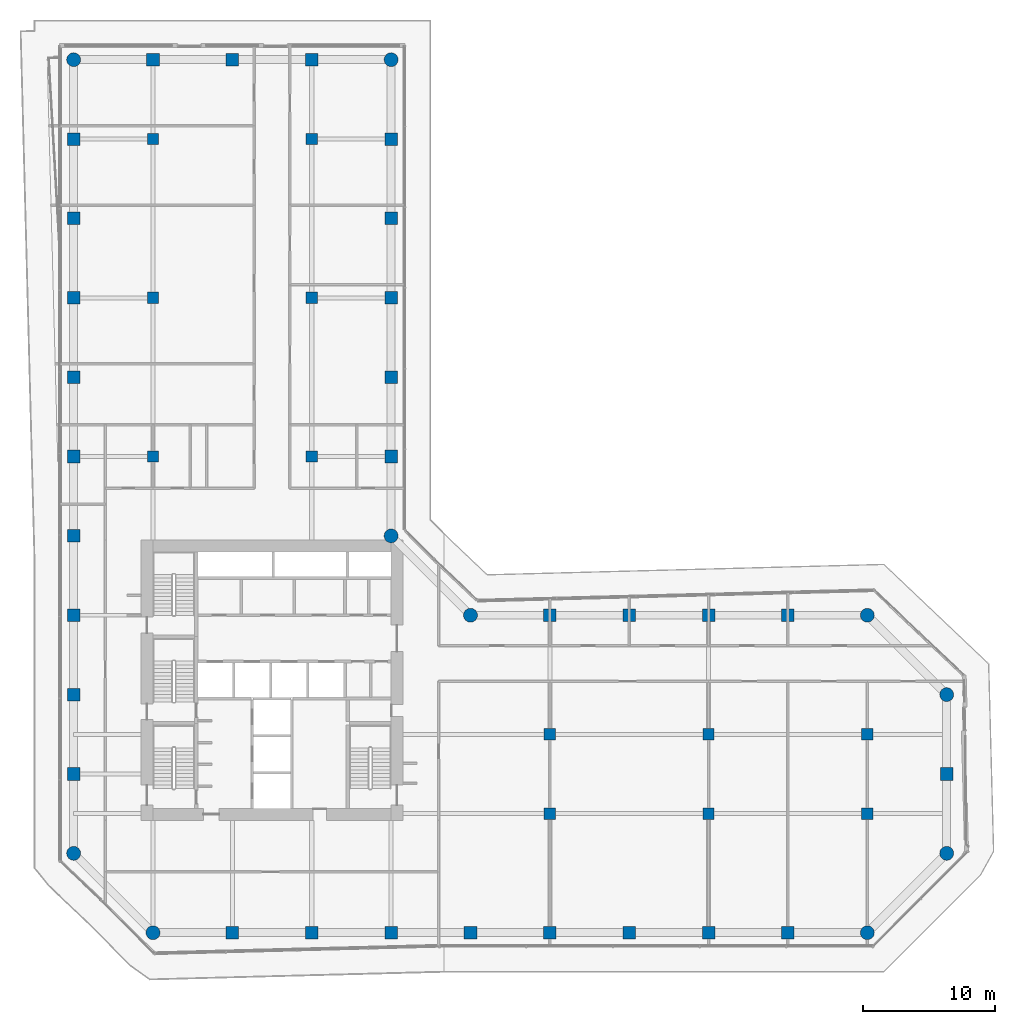
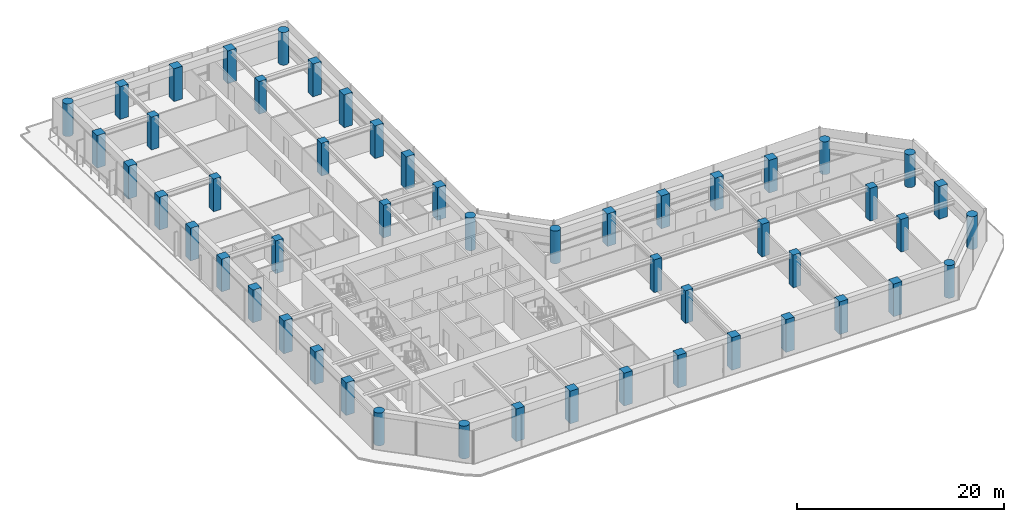
# One storey, part 1 of 29: 52 columns.
"""IFC4 building model written with IfcOpenShell, lengths in metres."""

from ifc_helpers import new_model, si_unit, direction, frame, origin, origin_2d, place, context, subcontext, project, spatial, rectangle, circle, extrude, material, material_profile, profile_set, type_object, element, save


model = new_model("IFC4")

# Units and contexts
model_context = context("Model", 3, precision=1e-05, world=origin(), true_north=direction((0.0, 1.0)))
body_context = subcontext(model_context, "Body", "Model", "MODEL_VIEW")
ifc_project = project(units=[si_unit("LENGTHUNIT", "METRE"), si_unit("AREAUNIT", "SQUARE_METRE"), si_unit("VOLUMEUNIT", "CUBIC_METRE"), si_unit("PLANEANGLEUNIT", "RADIAN"), si_unit("MASSUNIT", "GRAM", prefix="KILO")], contexts=[model_context])

# Site, building, storey
site_placement = place(None, origin())
site = spatial("IfcSite", under=ifc_project, at=site_placement, CompositionType="ELEMENT")
building_placement = place(site_placement, origin())
building = spatial("IfcBuilding", under=site, at=building_placement, Name="Welwitschia Terrace Campus", CompositionType="ELEMENT")
storey_placement = place(building_placement, frame((0.0, 0.0, 58.39990234375)))
storey = spatial("IfcBuildingStorey", under=building, at=storey_placement, Name="L13", CompositionType="ELEMENT", Elevation=58.39990234375)

# Columns
ifc_material_1 = material(Name="Concrete C60/75", Category="concrete")
ifc_material_profile_1 = material_profile(ifc_material_1, circle(Radius=0.52490234375, at=origin_2d()))
ifc_profile_set_1 = profile_set([ifc_material_profile_1], Name="Concrete C60/75")
column_type_1 = type_object("IfcColumnType", Name="Corner column 1050 dia", PredefinedType="COLUMN", material=ifc_profile_set_1)
for number, where, z_axis, x_axis, name in (
    (1, (0.0, 2.0, 0.0), (0.0, 0.0, 1.0), (1.0, 0.0, 0.0), "Column C5"),
    (2, (0.0, 62.0, 0.0), (0.0, 0.0, 1.0), (1.0, 0.0, 0.0), "Column C5"),
    (3, (6.0, -4.0, 0.0), (0.0, 0.0, 1.0), (1.0, 0.0, 0.0), "Column C5"),
    (4, (24.0, 26.0, 0.0), (0.0, 0.0, 1.0), (1.0, 0.0, 0.0), "Column C5"),
    (5, (24.0, 62.0, 0.0), (0.0, 0.0, 1.0), (1.0, 0.0, 0.0), "Column C5"),
    (6, (30.0, 20.0, 0.0), (0.0, 0.0, 1.0), (1.0, 0.0, 0.0), "Column C5"),
    (7, (60.0, -4.0, 0.0), (0.0, 0.0, 1.0), (1.0, 0.0, 0.0), "Column C5"),
    (8, (60.0, 20.0, 0.0), (0.0, 0.0, 1.0), (1.0, 0.0, 0.0), "Column C5"),
    (9, (66.0, 2.0, 0.0), (0.0, 0.0, 1.0), (1.0, 0.0, 0.0), "Column C5"),
    (10, (66.0, 14.0, 0.0), (0.0, 0.0, 1.0), (1.0, 0.0, 0.0), "Column C5"),
):
    element("IfcColumn", number, at=place(storey_placement, frame(where, z_axis=z_axis, x_axis=x_axis)), inside=storey, type_object=column_type_1, Name=name, PredefinedType="COLUMN", context=body_context, shape_type="SweptSolid", body=[
        extrude(circle(Radius=0.52490234375, at=origin_2d()), origin(), (0.0, 0.0, 1.0), 3.85009765625),
    ])
ifc_material_2 = material(Name="Concrete C60/75", Category="concrete")
ifc_material_profile_2 = material_profile(ifc_material_2, rectangle(XDim=0.85009765625, YDim=0.85009765625, at=origin_2d()))
ifc_profile_set_2 = profile_set([ifc_material_profile_2], Name="Concrete C60/75")
column_type_2 = type_object("IfcColumnType", Name="Interior column 850x850", PredefinedType="COLUMN", material=ifc_profile_set_2)
for number, where, z_axis, x_axis, name in (
    (11, (6.0, 32.0, 0.0), (0.0, 0.0, 1.0), (1.0, 0.0, 0.0), "Column C7"),
    (12, (6.0, 44.0, 0.0), (0.0, 0.0, 1.0), (1.0, 0.0, 0.0), "Column C7"),
    (13, (6.0, 56.0, 0.0), (0.0, 0.0, 1.0), (1.0, 0.0, 0.0), "Column C7"),
    (14, (18.0, 32.0, 0.0), (0.0, 0.0, 1.0), (1.0, 0.0, 0.0), "Column C7"),
    (15, (18.0, 44.0, 0.0), (0.0, 0.0, 1.0), (1.0, 0.0, 0.0), "Column C7"),
    (16, (18.0, 56.0, 0.0), (0.0, 0.0, 1.0), (1.0, 0.0, 0.0), "Column C7"),
    (17, (36.0, 5.0, 0.0), (0.0, 0.0, 1.0), (1.0, 0.0, 0.0), "Column C7"),
    (18, (36.0, 11.0, 0.0), (0.0, 0.0, 1.0), (1.0, 0.0, 0.0), "Column C7"),
    (19, (48.0, 5.0, 0.0), (0.0, 0.0, 1.0), (1.0, 0.0, 0.0), "Column C7"),
    (20, (48.0, 11.0, 0.0), (0.0, 0.0, 1.0), (1.0, 0.0, 0.0), "Column C7"),
    (21, (60.0, 5.0, 0.0), (0.0, 0.0, 1.0), (1.0, 0.0, 0.0), "Column C7"),
    (22, (60.0, 11.0, 0.0), (0.0, 0.0, 1.0), (1.0, 0.0, 0.0), "Column C7"),
):
    element("IfcColumn", number, at=place(storey_placement, frame(where, z_axis=z_axis, x_axis=x_axis)), inside=storey, type_object=column_type_2, Name=name, PredefinedType="COLUMN", context=body_context, shape_type="SweptSolid", body=[
        extrude(rectangle(XDim=0.85009765625, YDim=0.85009765625, at=origin_2d()), origin(), (0.0, 0.0, 1.0), 3.85009765625),
    ])
ifc_material_3 = material(Name="Concrete C60/75", Category="concrete")
ifc_material_profile_3 = material_profile(ifc_material_3, rectangle(XDim=0.949951171875, YDim=0.949951171875, at=origin_2d()))
ifc_profile_set_3 = profile_set([ifc_material_profile_3], Name="Concrete C60/75")
column_type_3 = type_object("IfcColumnType", Name="Ring column 950x950", PredefinedType="COLUMN", material=ifc_profile_set_3)
for number, where, z_axis, x_axis, name in (
    (23, (0.0, 8.0, 0.0), (0.0, 0.0, 1.0), (1.0, 0.0, 0.0), "Column C6"),
    (24, (0.0, 14.0, 0.0), (0.0, 0.0, 1.0), (1.0, 0.0, 0.0), "Column C6"),
    (25, (0.0, 20.0, 0.0), (0.0, 0.0, 1.0), (1.0, 0.0, 0.0), "Column C6"),
    (26, (0.0, 26.0, 0.0), (0.0, 0.0, 1.0), (1.0, 0.0, 0.0), "Column C6"),
    (27, (0.0, 32.0, 0.0), (0.0, 0.0, 1.0), (1.0, 0.0, 0.0), "Column C6"),
    (28, (0.0, 38.0, 0.0), (0.0, 0.0, 1.0), (1.0, 0.0, 0.0), "Column C6"),
    (29, (0.0, 44.0, 0.0), (0.0, 0.0, 1.0), (1.0, 0.0, 0.0), "Column C6"),
    (30, (0.0, 50.0, 0.0), (0.0, 0.0, 1.0), (1.0, 0.0, 0.0), "Column C6"),
    (31, (0.0, 56.0, 0.0), (0.0, 0.0, 1.0), (1.0, 0.0, 0.0), "Column C6"),
    (32, (6.0, 62.0, 0.0), (0.0, 0.0, 1.0), (1.0, 0.0, 0.0), "Column C6"),
    (33, (12.0, -4.0, 0.0), (0.0, 0.0, 1.0), (1.0, 0.0, 0.0), "Column C6"),
    (34, (12.0, 62.0, 0.0), (0.0, 0.0, 1.0), (1.0, 0.0, 0.0), "Column C6"),
    (35, (18.0, -4.0, 0.0), (0.0, 0.0, 1.0), (1.0, 0.0, 0.0), "Column C6"),
    (36, (18.0, 62.0, 0.0), (0.0, 0.0, 1.0), (1.0, 0.0, 0.0), "Column C6"),
    (37, (24.0, -4.0, 0.0), (0.0, 0.0, 1.0), (1.0, 0.0, 0.0), "Column C6"),
    (38, (24.0, 32.0, 0.0), (0.0, 0.0, 1.0), (1.0, 0.0, 0.0), "Column C6"),
    (39, (24.0, 38.0, 0.0), (0.0, 0.0, 1.0), (1.0, 0.0, 0.0), "Column C6"),
    (40, (24.0, 44.0, 0.0), (0.0, 0.0, 1.0), (1.0, 0.0, 0.0), "Column C6"),
    (41, (24.0, 50.0, 0.0), (0.0, 0.0, 1.0), (1.0, 0.0, 0.0), "Column C6"),
    (42, (24.0, 56.0, 0.0), (0.0, 0.0, 1.0), (1.0, 0.0, 0.0), "Column C6"),
    (43, (30.0, -4.0, 0.0), (0.0, 0.0, 1.0), (1.0, 0.0, 0.0), "Column C6"),
    (44, (36.0, -4.0, 0.0), (0.0, 0.0, 1.0), (1.0, 0.0, 0.0), "Column C6"),
    (45, (36.0, 20.0, 0.0), (0.0, 0.0, 1.0), (1.0, 0.0, 0.0), "Column C6"),
    (46, (42.0, -4.0, 0.0), (0.0, 0.0, 1.0), (1.0, 0.0, 0.0), "Column C6"),
    (47, (42.0, 20.0, 0.0), (0.0, 0.0, 1.0), (1.0, 0.0, 0.0), "Column C6"),
    (48, (48.0, -4.0, 0.0), (0.0, 0.0, 1.0), (1.0, 0.0, 0.0), "Column C6"),
    (49, (48.0, 20.0, 0.0), (0.0, 0.0, 1.0), (1.0, 0.0, 0.0), "Column C6"),
    (50, (54.0, -4.0, 0.0), (0.0, 0.0, 1.0), (1.0, 0.0, 0.0), "Column C6"),
    (51, (54.0, 20.0, 0.0), (0.0, 0.0, 1.0), (1.0, 0.0, 0.0), "Column C6"),
    (52, (66.0, 8.0, 0.0), (0.0, 0.0, 1.0), (1.0, 0.0, 0.0), "Column C6"),
):
    element("IfcColumn", number, at=place(storey_placement, frame(where, z_axis=z_axis, x_axis=x_axis)), inside=storey, type_object=column_type_3, Name=name, PredefinedType="COLUMN", context=body_context, shape_type="SweptSolid", body=[
        extrude(rectangle(XDim=0.949951171875, YDim=0.949951171875, at=origin_2d()), origin(), (0.0, 0.0, 1.0), 3.85009765625),
    ])

save(model, "model.ifc")
